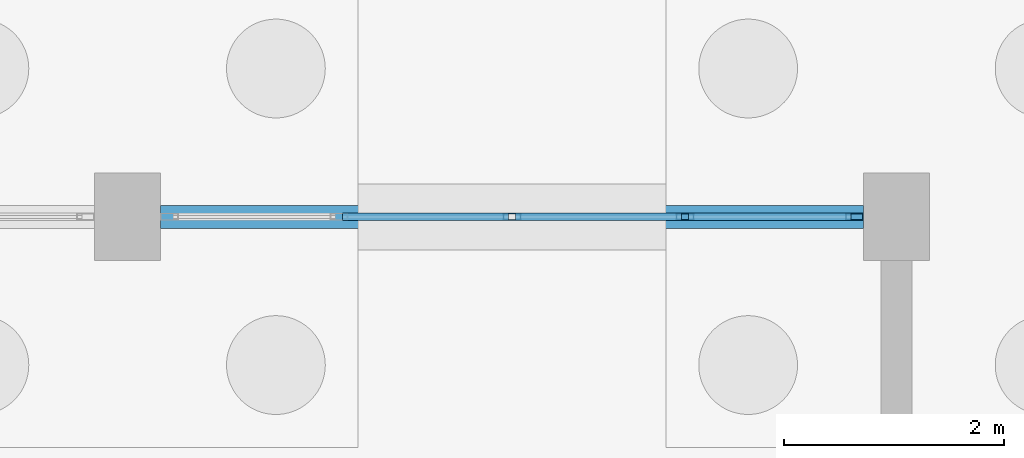
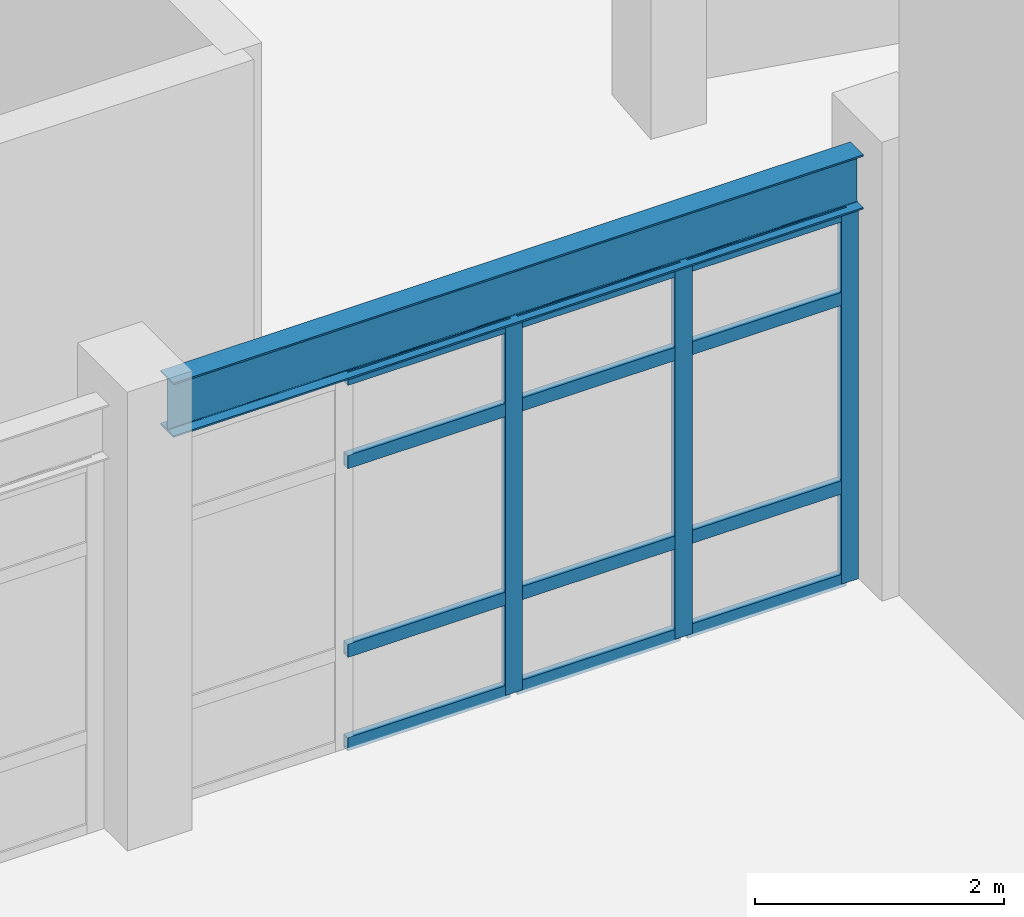
# One storey, part 27 of 154: 15 members, 1 beam, 1 element without a shape of its own.
"""IFC4 building model written with IfcOpenShell, lengths in metres."""

from ifc_helpers import new_model, si_unit, direction, frame, origin, origin_2d, place, context, subcontext, project, spatial, hollow_rectangle, i_section, extrude, material, material_profile, profile_set, type_object, element, aggregate, save


model = new_model("IFC4")

# Units and contexts
model_context = context("Model", 3, precision=1e-05, world=origin(), true_north=direction((0.0, 1.0)))
body_context = subcontext(model_context, "Body", "Model", "MODEL_VIEW")
ifc_project = project(units=[si_unit("LENGTHUNIT", "METRE"), si_unit("AREAUNIT", "SQUARE_METRE"), si_unit("VOLUMEUNIT", "CUBIC_METRE"), si_unit("PLANEANGLEUNIT", "RADIAN"), si_unit("MASSUNIT", "GRAM", prefix="KILO")], contexts=[model_context])

# Site, building, storey
site_placement = place(None, origin())
site = spatial("IfcSite", under=ifc_project, at=site_placement, CompositionType="ELEMENT")
building_placement = place(site_placement, origin())
building = spatial("IfcBuilding", under=site, at=building_placement, Name="Kestramere Prow Commons", CompositionType="ELEMENT")
storey_placement = place(building_placement, origin())
storey = spatial("IfcBuildingStorey", under=building, at=storey_placement, Name="L00", CompositionType="ELEMENT", Elevation=0.0)

# Beam
ifc_material_1 = material(Name="Steel S355JR", Category="steel")
ifc_material_profile_1 = material_profile(ifc_material_1, i_section(OverallWidth=0.209228515625, OverallDepth=0.533203125, WebThickness=0.010009765625, FlangeThickness=0.015625, FilletRadius=0.0126953125, at=origin_2d()), Name="UB 533x210x92")
ifc_profile_set_1 = profile_set([ifc_material_profile_1], Name="Steel S355JR")
beam_type = type_object("IfcBeamType", Name="BM-HL-GAL UB 533x210x92 (EX)", PredefinedType="BEAM", material=ifc_profile_set_1)
beam_placement = place(storey_placement, frame((44.5, 43.5, 3.933349609375), z_axis=(1.0, 0.0, 0.0), x_axis=(0.0, 1.0, 0.0)))
element("IfcBeam", 1, at=beam_placement, inside=storey, type_object=beam_type, Name="Hall North Perimeter Tie Girder 7", PredefinedType="BEAM", context=body_context, shape_type="SweptSolid", body=[
    extrude(i_section(OverallWidth=0.209228515625, OverallDepth=0.533203125, WebThickness=0.010009765625, FlangeThickness=0.015625, FilletRadius=0.0126953125, at=origin_2d()), origin(), (0.0, 0.0, 1.0), 6.39990234375),
])

# Curtain wall, members
ifc_material_2 = material(Name="Anodised Aluminium and Low-E Glass", Category="aluminium")
curtain_wall_type = type_object("IfcCurtainWallType", Name="CW-11 Glazed Curtain Wall 6300x3650", PredefinedType="USERDEFINED", material=ifc_material_2)
curtain_wall_placement = place(storey_placement, origin())
curtain_wall = element("IfcCurtainWall", 2, at=curtain_wall_placement, inside=storey, type_object=curtain_wall_type, Name="Hall North Courtyard Curtain Wall L00-7", ObjectType="GLAZED CURTAIN WALL", PredefinedType="USERDEFINED")
ifc_material_3 = material(Name="Anodised Aluminium 6063-T6", Category="aluminium")
ifc_material_profile_2 = material_profile(ifc_material_3, hollow_rectangle(XDim=0.06494140625, YDim=0.159912109375, WallThickness=0.00390625, at=origin_2d()), Name="ALU-MUL 65x160")
ifc_profile_set_2 = profile_set([ifc_material_profile_2], Name="Anodised Aluminium 6063-T6")
member_type_1 = type_object("IfcMemberType", Name="CW-MUL-65x160", PredefinedType="MULLION", material=ifc_profile_set_2)
member_1_placement = place(storey_placement, frame((47.699951171875, 43.5, 0.0), z_axis=(0.0, 0.0, 1.0), x_axis=(0.0, 1.0, 0.0)))
member_1 = element("IfcMember", 3, at=member_1_placement, type_object=member_type_1, Name="CW-11 mullion 3", PredefinedType="MULLION", context=body_context, shape_type="SweptSolid", body=[
    extrude(hollow_rectangle(XDim=0.06494140625, YDim=0.159912109375, WallThickness=0.00390625, at=origin_2d()), origin(), (0.0, 0.0, 1.0), 3.64990234375),
])
member_2_placement = place(storey_placement, frame((49.27490234375, 43.5, 0.0), z_axis=(0.0, 0.0, 1.0), x_axis=(0.0, 1.0, 0.0)))
member_2 = element("IfcMember", 4, at=member_2_placement, type_object=member_type_1, Name="CW-11 mullion 4", PredefinedType="MULLION", context=body_context, shape_type="SweptSolid", body=[
    extrude(hollow_rectangle(XDim=0.06494140625, YDim=0.159912109375, WallThickness=0.00390625, at=origin_2d()), origin(), (0.0, 0.0, 1.0), 3.64990234375),
])
member_3_placement = place(storey_placement, frame((50.8173828125, 43.5, 0.0), z_axis=(0.0, 0.0, 1.0), x_axis=(0.0, 1.0, 0.0)))
member_3 = element("IfcMember", 5, at=member_3_placement, type_object=member_type_1, Name="CW-11 mullion 5", PredefinedType="MULLION", context=body_context, shape_type="SweptSolid", body=[
    extrude(hollow_rectangle(XDim=0.06494140625, YDim=0.159912109375, WallThickness=0.00390625, at=origin_2d()), origin(), (0.0, 0.0, 1.0), 3.64990234375),
])
ifc_material_profile_3 = material_profile(ifc_material_3, hollow_rectangle(XDim=0.06494140625, YDim=0.1298828125, WallThickness=0.00390625, at=origin_2d()), Name="ALU-TRN 65x130")
ifc_profile_set_3 = profile_set([ifc_material_profile_3], Name="Anodised Aluminium 6063-T6")
member_type_2 = type_object("IfcMemberType", Name="CW-TRN-65x130", PredefinedType="USERDEFINED", material=ifc_profile_set_3)
member_4_placement = place(storey_placement, frame((46.157470703125, 43.5, 0.032470703125), z_axis=(1.0, 0.0, 0.0), x_axis=(0.0, 1.0, 0.0)))
member_4 = element("IfcMember", 6, at=member_4_placement, type_object=member_type_2, Name="CW-11 transom 2.1", ObjectType="TRANSOM", PredefinedType="USERDEFINED", context=body_context, shape_type="SweptSolid", body=[
    extrude(hollow_rectangle(XDim=0.06494140625, YDim=0.1298828125, WallThickness=0.00390625, at=origin_2d()), origin(), (0.0, 0.0, 1.0), 1.510009765625),
])
member_5_placement = place(storey_placement, frame((46.157470703125, 43.5, 0.949951171875), z_axis=(1.0, 0.0, 0.0), x_axis=(0.0, 1.0, 0.0)))
member_5 = element("IfcMember", 7, at=member_5_placement, type_object=member_type_2, Name="CW-11 transom 2.2", ObjectType="TRANSOM", PredefinedType="USERDEFINED", context=body_context, shape_type="SweptSolid", body=[
    extrude(hollow_rectangle(XDim=0.06494140625, YDim=0.1298828125, WallThickness=0.00390625, at=origin_2d()), origin(), (0.0, 0.0, 1.0), 1.510009765625),
])
member_6_placement = place(storey_placement, frame((46.157470703125, 43.5, 2.800048828125), z_axis=(1.0, 0.0, 0.0), x_axis=(0.0, 1.0, 0.0)))
member_6 = element("IfcMember", 8, at=member_6_placement, type_object=member_type_2, Name="CW-11 transom 2.3", ObjectType="TRANSOM", PredefinedType="USERDEFINED", context=body_context, shape_type="SweptSolid", body=[
    extrude(hollow_rectangle(XDim=0.06494140625, YDim=0.1298828125, WallThickness=0.00390625, at=origin_2d()), origin(), (0.0, 0.0, 1.0), 1.510009765625),
])
member_7_placement = place(storey_placement, frame((46.157470703125, 43.5, 3.617431640625), z_axis=(1.0, 0.0, 0.0), x_axis=(0.0, 1.0, 0.0)))
member_7 = element("IfcMember", 9, at=member_7_placement, type_object=member_type_2, Name="CW-11 transom 2.4", ObjectType="TRANSOM", PredefinedType="USERDEFINED", context=body_context, shape_type="SweptSolid", body=[
    extrude(hollow_rectangle(XDim=0.06494140625, YDim=0.1298828125, WallThickness=0.00390625, at=origin_2d()), origin(), (0.0, 0.0, 1.0), 1.510009765625),
])
member_8_placement = place(storey_placement, frame((47.732421875, 43.5, 0.032470703125), z_axis=(1.0, 0.0, 0.0), x_axis=(0.0, 1.0, 0.0)))
member_8 = element("IfcMember", 10, at=member_8_placement, type_object=member_type_2, Name="CW-11 transom 3.1", ObjectType="TRANSOM", PredefinedType="USERDEFINED", context=body_context, shape_type="SweptSolid", body=[
    extrude(hollow_rectangle(XDim=0.06494140625, YDim=0.1298828125, WallThickness=0.00390625, at=origin_2d()), origin(), (0.0, 0.0, 1.0), 1.510009765625),
])
member_9_placement = place(storey_placement, frame((47.732421875, 43.5, 0.949951171875), z_axis=(1.0, 0.0, 0.0), x_axis=(0.0, 1.0, 0.0)))
member_9 = element("IfcMember", 11, at=member_9_placement, type_object=member_type_2, Name="CW-11 transom 3.2", ObjectType="TRANSOM", PredefinedType="USERDEFINED", context=body_context, shape_type="SweptSolid", body=[
    extrude(hollow_rectangle(XDim=0.06494140625, YDim=0.1298828125, WallThickness=0.00390625, at=origin_2d()), origin(), (0.0, 0.0, 1.0), 1.510009765625),
])
member_10_placement = place(storey_placement, frame((47.732421875, 43.5, 2.800048828125), z_axis=(1.0, 0.0, 0.0), x_axis=(0.0, 1.0, 0.0)))
member_10 = element("IfcMember", 12, at=member_10_placement, type_object=member_type_2, Name="CW-11 transom 3.3", ObjectType="TRANSOM", PredefinedType="USERDEFINED", context=body_context, shape_type="SweptSolid", body=[
    extrude(hollow_rectangle(XDim=0.06494140625, YDim=0.1298828125, WallThickness=0.00390625, at=origin_2d()), origin(), (0.0, 0.0, 1.0), 1.510009765625),
])
member_11_placement = place(storey_placement, frame((47.732421875, 43.5, 3.617431640625), z_axis=(1.0, 0.0, 0.0), x_axis=(0.0, 1.0, 0.0)))
member_11 = element("IfcMember", 13, at=member_11_placement, type_object=member_type_2, Name="CW-11 transom 3.4", ObjectType="TRANSOM", PredefinedType="USERDEFINED", context=body_context, shape_type="SweptSolid", body=[
    extrude(hollow_rectangle(XDim=0.06494140625, YDim=0.1298828125, WallThickness=0.00390625, at=origin_2d()), origin(), (0.0, 0.0, 1.0), 1.510009765625),
])
member_12_placement = place(storey_placement, frame((49.3076171875, 43.5, 0.032470703125), z_axis=(1.0, 0.0, 0.0), x_axis=(0.0, 1.0, 0.0)))
member_12 = element("IfcMember", 14, at=member_12_placement, type_object=member_type_2, Name="CW-11 transom 4.1", ObjectType="TRANSOM", PredefinedType="USERDEFINED", context=body_context, shape_type="SweptSolid", body=[
    extrude(hollow_rectangle(XDim=0.06494140625, YDim=0.1298828125, WallThickness=0.00390625, at=origin_2d()), origin(), (0.0, 0.0, 1.0), 1.477294921875),
])
member_13_placement = place(storey_placement, frame((49.3076171875, 43.5, 0.949951171875), z_axis=(1.0, 0.0, 0.0), x_axis=(0.0, 1.0, 0.0)))
member_13 = element("IfcMember", 15, at=member_13_placement, type_object=member_type_2, Name="CW-11 transom 4.2", ObjectType="TRANSOM", PredefinedType="USERDEFINED", context=body_context, shape_type="SweptSolid", body=[
    extrude(hollow_rectangle(XDim=0.06494140625, YDim=0.1298828125, WallThickness=0.00390625, at=origin_2d()), origin(), (0.0, 0.0, 1.0), 1.477294921875),
])
member_14_placement = place(storey_placement, frame((49.3076171875, 43.5, 2.800048828125), z_axis=(1.0, 0.0, 0.0), x_axis=(0.0, 1.0, 0.0)))
member_14 = element("IfcMember", 16, at=member_14_placement, type_object=member_type_2, Name="CW-11 transom 4.3", ObjectType="TRANSOM", PredefinedType="USERDEFINED", context=body_context, shape_type="SweptSolid", body=[
    extrude(hollow_rectangle(XDim=0.06494140625, YDim=0.1298828125, WallThickness=0.00390625, at=origin_2d()), origin(), (0.0, 0.0, 1.0), 1.477294921875),
])
member_15_placement = place(storey_placement, frame((49.3076171875, 43.5, 3.617431640625), z_axis=(1.0, 0.0, 0.0), x_axis=(0.0, 1.0, 0.0)))
member_15 = element("IfcMember", 17, at=member_15_placement, type_object=member_type_2, Name="CW-11 transom 4.4", ObjectType="TRANSOM", PredefinedType="USERDEFINED", context=body_context, shape_type="SweptSolid", body=[
    extrude(hollow_rectangle(XDim=0.06494140625, YDim=0.1298828125, WallThickness=0.00390625, at=origin_2d()), origin(), (0.0, 0.0, 1.0), 1.477294921875),
])
aggregate(curtain_wall, [member_1, member_2, member_3, member_4, member_5, member_6, member_7, member_8, member_9, member_10, member_11, member_12, member_13, member_14, member_15])

save(model, "model.ifc")
